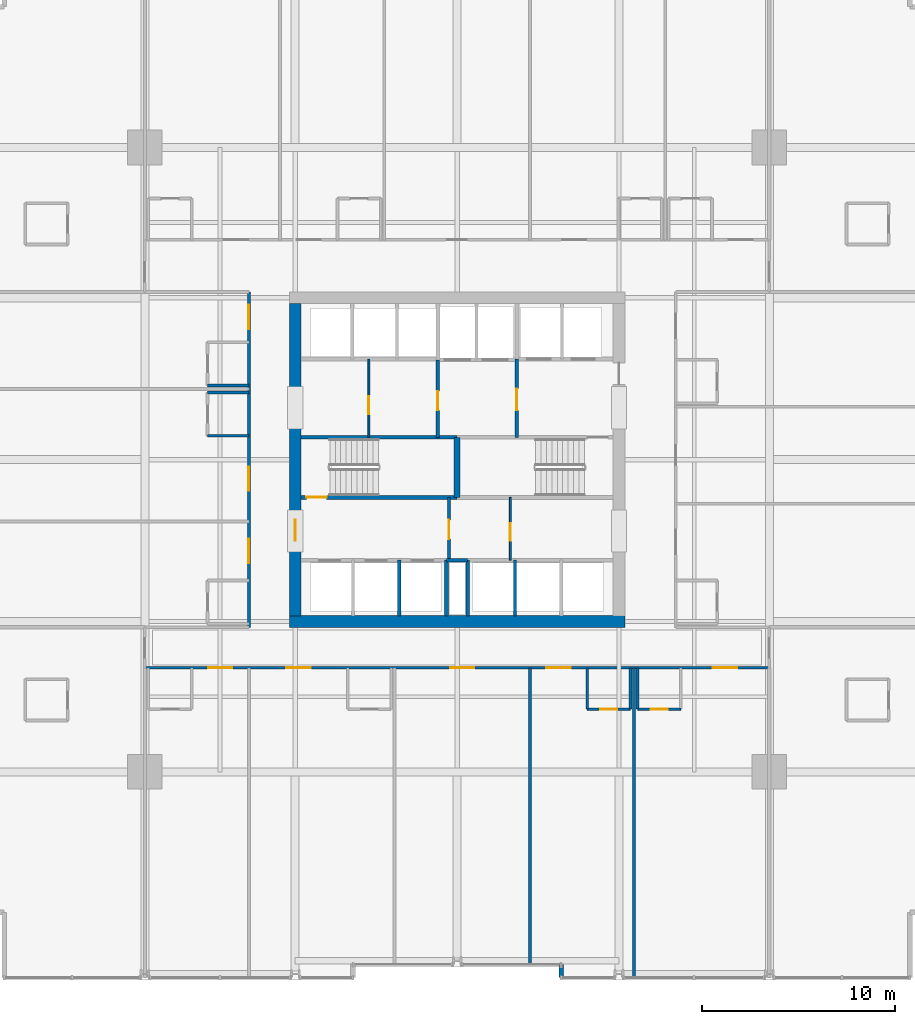
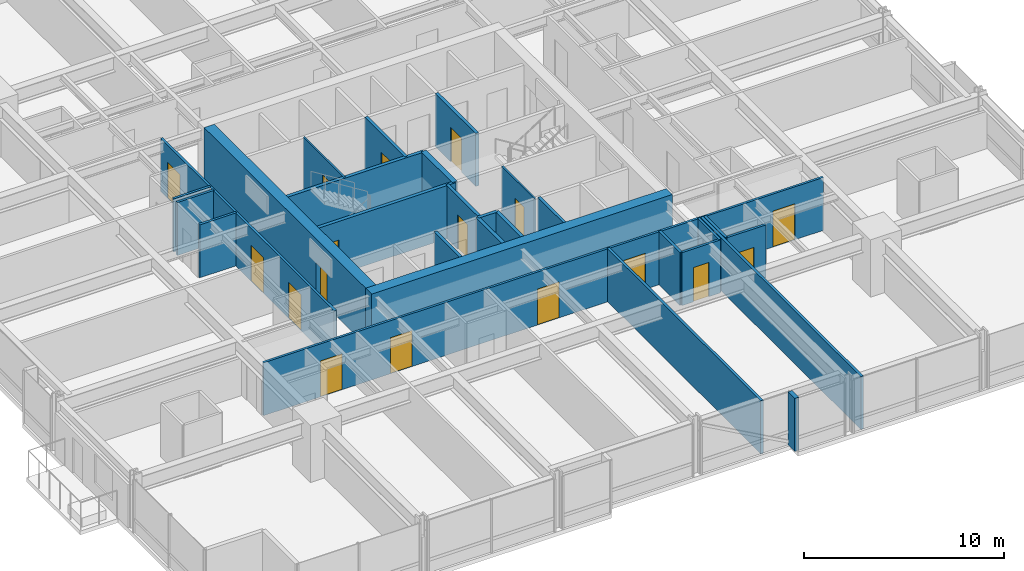
# One storey, part 31 of 38: 28 walls, 17 doors, 17 openings.
"""IFC4 building model written with IfcOpenShell, lengths in metres."""

from ifc_helpers import new_model, si_unit, direction, frame, frame_2d, origin, place, context, subcontext, project, spatial, rectangle, extrude, material, layer, layer_set, type_object, element, fill, save


model = new_model("IFC4")

# Units and contexts
model_context = context("Model", 3, precision=1e-05, world=origin(), true_north=direction((0.0, 1.0)))
body_context = subcontext(model_context, "Body", "Model", "MODEL_VIEW")
ifc_project = project(units=[si_unit("LENGTHUNIT", "METRE"), si_unit("AREAUNIT", "SQUARE_METRE"), si_unit("VOLUMEUNIT", "CUBIC_METRE"), si_unit("PLANEANGLEUNIT", "RADIAN"), si_unit("MASSUNIT", "GRAM", prefix="KILO")], contexts=[model_context])

# Site, building, storey
site_placement = place(None, origin())
site = spatial("IfcSite", under=ifc_project, at=site_placement, CompositionType="ELEMENT")
building_placement = place(site_placement, origin())
building = spatial("IfcBuilding", under=site, at=building_placement, Name="Drelvath Grand Hotel", CompositionType="ELEMENT")
storey_placement = place(building_placement, frame((0.0, 0.0, 57.699951171875)))
storey = spatial("IfcBuildingStorey", under=building, at=storey_placement, Name="L13", CompositionType="ELEMENT", Elevation=57.699951171875)

# Wall, opening, door
ifc_material_1 = material(Name="Gypsum Partition Board")
ifc_layer_1 = layer(ifc_material_1, 0.10009765625)
ifc_layer_set_1 = layer_set([ifc_layer_1], Name="Gypsum Partition Board")
wall_type_1 = type_object("IfcWallType", Name="Core Closet Partition 100", PredefinedType="PARTITIONING", material=ifc_layer_set_1)
wall_1_placement = place(storey_placement, frame((-4.580078125, 28.159912109375, 0.0), z_axis=(0.0, 0.0, 1.0), x_axis=(0.0, 1.0, 0.0)))
wall_1 = element("IfcWall", 1, at=wall_1_placement, inside=storey, type_object=wall_type_1, Name="L13 Core Closet Divider", PredefinedType="PARTITIONING", context=body_context, shape_type="SweptSolid", body=[
    extrude(rectangle(XDim=4.06005859375, YDim=0.10009765625, at=frame_2d((2.030029296875, 0.0))), origin(), (0.0, 0.0, 1.0), 3.239990234375),
])
opening_1_placement = place(wall_1_placement, frame((1.199951171875, 0.0, 0.0)))
opening_1 = element("IfcOpeningElement", 2, at=opening_1_placement, cuts=wall_1, Name="Opening D-T1G3-010", PredefinedType="OPENING", context=body_context, shape_type="SweptSolid", body=[
    extrude(rectangle(XDim=0.919921875, YDim=2.10009765625, at=frame_2d((0.4599609375, 1.050048828125))), frame((0.0, 0.06005859375, 0.0), z_axis=(0.0, -1.0, 0.0), x_axis=(1.0, 0.0, 0.0)), (0.0, 0.0, 1.0), 0.1201171875),
])
ifc_material_2 = material(Name="Painted Steel S275", Category="steel")
door_type_1 = type_object("IfcDoorType", Name="Staff Utility Door 920x2100", OperationType="NOTDEFINED", PredefinedType="DOOR", material=ifc_material_2)
door_1_placement = place(opening_1_placement, origin())
door_1 = element("IfcDoor", 3, at=door_1_placement, inside=storey, type_object=door_type_1, Name="L13 Electrical Closet Door", OperationType="SINGLE_SWING_RIGHT", OverallHeight=2.10009765625, OverallWidth=0.919921875, PredefinedType="DOOR", context=body_context, shape_type="SweptSolid", body=[
    extrude(rectangle(XDim=0.919921875, YDim=2.10009765625, at=frame_2d((0.4599609375, 1.050048828125))), frame((0.0, 0.02490234375, 0.0), z_axis=(0.0, -1.0, 0.0), x_axis=(1.0, 0.0, 0.0)), (0.0, 0.0, 1.0), 0.050048828125),
])
fill(opening_1, door_1)

wall_2_placement = place(storey_placement, frame((2.760009765625, 21.780029296875, 0.0), z_axis=(0.0, 0.0, 1.0), x_axis=(0.0, 1.0, 0.0)))
wall_2 = element("IfcWall", 4, at=wall_2_placement, inside=storey, type_object=wall_type_1, Name="L13 Butler Pantry Wall", PredefinedType="PARTITIONING", context=body_context, shape_type="SweptSolid", body=[
    extrude(rectangle(XDim=3.260009765625, YDim=0.10009765625, at=frame_2d((1.6298828125, 0.0))), origin(), (0.0, 0.0, 1.0), 3.239990234375),
])
opening_2_placement = place(wall_2_placement, frame((1.0, 0.0, 0.0)))
opening_2 = element("IfcOpeningElement", 5, at=opening_2_placement, cuts=wall_2, Name="Opening D-T1G3-016", PredefinedType="OPENING", context=body_context, shape_type="SweptSolid", body=[
    extrude(rectangle(XDim=0.919921875, YDim=2.10009765625, at=frame_2d((0.4599609375, 1.050048828125))), frame((0.0, 0.06005859375, 0.0), z_axis=(0.0, -1.0, 0.0), x_axis=(1.0, 0.0, 0.0)), (0.0, 0.0, 1.0), 0.1201171875),
])
door_2_placement = place(opening_2_placement, origin())
door_2 = element("IfcDoor", 6, at=door_2_placement, inside=storey, type_object=door_type_1, Name="L13 Butler Pantry Door", OperationType="SINGLE_SWING_LEFT", OverallHeight=2.10009765625, OverallWidth=0.919921875, PredefinedType="DOOR", context=body_context, shape_type="SweptSolid", body=[
    extrude(rectangle(XDim=0.919921875, YDim=2.10009765625, at=frame_2d((0.4599609375, 1.050048828125))), frame((0.0, 0.02490234375, 0.0), z_axis=(0.0, -1.0, 0.0), x_axis=(1.0, 0.0, 0.0)), (0.0, 0.0, 1.0), 0.050048828125),
])
fill(opening_2, door_2)

# Walls
ifc_material_3 = material(Name="Concrete C40/50", Category="concrete")
ifc_layer_2 = layer(ifc_material_3, 0.199951171875)
ifc_layer_set_2 = layer_set([ifc_layer_2], Name="Concrete C40/50")
wall_type_2 = type_object("IfcWallType", Name="Core Hoistway Fire Wall 200", PredefinedType="SOLIDWALL", material=ifc_layer_set_2)
for number, where, z_axis, x_axis, name in (
    (7, (-0.550048828125, 18.89990234375, 0.0), (0.0, 0.0, 1.0), (0.0, 1.0, 0.0), "L13 Bank 1 East Wall"),
    (8, (0.550048828125, 18.89990234375, 0.0), (0.0, 0.0, 1.0), (0.0, 1.0, 0.0), "L13 Bank 2 West Wall"),
):
    element("IfcWall", number, at=place(storey_placement, frame(where, z_axis=z_axis, x_axis=x_axis)), inside=storey, type_object=wall_type_2, Name=name, PredefinedType="SOLIDWALL", context=body_context, shape_type="SweptSolid", body=[
        extrude(rectangle(XDim=2.880126953125, YDim=0.199951171875, at=frame_2d((1.43994140625, 0.0))), origin(), (0.0, 0.0, 1.0), 3.239990234375),
    ])
wall_3_placement = place(storey_placement, frame((-0.550048828125, 21.780029296875, 0.0), z_axis=(0.0, 0.0, 1.0), x_axis=(1.0, 0.0, 0.0)))
element("IfcWall", 9, at=wall_3_placement, inside=storey, type_object=wall_type_2, Name="L13 Core Riser Wall", PredefinedType="SOLIDWALL", context=body_context, shape_type="SweptSolid", body=[
    extrude(rectangle(XDim=1.10009765625, YDim=0.199951171875, at=frame_2d((0.550048828125, 0.0))), origin(), (0.0, 0.0, 1.0), 3.239990234375),
])

# Wall, opening, door
ifc_layer_3 = layer(ifc_material_3, 0.199951171875)
ifc_layer_set_3 = layer_set([ifc_layer_3], Name="Concrete C40/50")
wall_type_3 = type_object("IfcWallType", Name="Core Shaft Fire Wall 200", PredefinedType="SOLIDWALL", material=ifc_layer_set_3)
wall_4_placement = place(storey_placement, frame((-8.10009765625, 25.0400390625, 0.0), z_axis=(0.0, 0.0, 1.0), x_axis=(1.0, 0.0, 0.0)))
wall_4 = element("IfcWall", 10, at=wall_4_placement, inside=storey, type_object=wall_type_3, Name="L13 Stair ST-1 South Wall", PredefinedType="SOLIDWALL", context=body_context, shape_type="SweptSolid", body=[
    extrude(rectangle(XDim=8.10009765625, YDim=0.199951171875, at=frame_2d((4.050048828125, 0.0))), origin(), (0.0, 0.0, 1.0), 3.239990234375),
])
opening_3_placement = place(wall_4_placement, frame((0.280029296875, 0.0, 0.0)))
opening_3 = element("IfcOpeningElement", 11, at=opening_3_placement, cuts=wall_4, Name="Opening D-T1G3-001", PredefinedType="OPENING", context=body_context, shape_type="SweptSolid", body=[
    extrude(rectangle(XDim=1.050048828125, YDim=2.10009765625, at=frame_2d((0.52490234375, 1.050048828125))), frame((0.0, 0.10986328125, 0.0), z_axis=(0.0, -1.0, 0.0), x_axis=(1.0, 0.0, 0.0)), (0.0, 0.0, 1.0), 0.219970703125),
])
door_type_2 = type_object("IfcDoorType", Name="Tower Stairwell Fire Door 1050x2100", OperationType="NOTDEFINED", PredefinedType="DOOR", material=ifc_material_2)
door_3_placement = place(opening_3_placement, origin())
door_3 = element("IfcDoor", 12, at=door_3_placement, inside=storey, type_object=door_type_2, Name="L13 Exit Stair ST-1 Door", OperationType="SINGLE_SWING_LEFT", OverallHeight=2.10009765625, OverallWidth=1.050048828125, PredefinedType="DOOR", context=body_context, shape_type="SweptSolid", body=[
    extrude(rectangle(XDim=1.050048828125, YDim=2.10009765625, at=frame_2d((0.52490234375, 1.050048828125))), frame((0.0, 0.02490234375, 0.0), z_axis=(0.0, -1.0, 0.0), x_axis=(1.0, 0.0, 0.0)), (0.0, 0.0, 1.0), 0.050048828125),
])
fill(opening_3, door_3)

# Walls
wall_5_placement = place(storey_placement, frame((-8.10009765625, 28.159912109375, 0.0), z_axis=(0.0, 0.0, 1.0), x_axis=(1.0, 0.0, 0.0)))
element("IfcWall", 13, at=wall_5_placement, inside=storey, type_object=wall_type_3, Name="L13 Stair ST-1 North Wall", PredefinedType="SOLIDWALL", context=body_context, shape_type="SweptSolid", body=[
    extrude(rectangle(XDim=8.10009765625, YDim=0.199951171875, at=frame_2d((4.050048828125, 0.0))), origin(), (0.0, 0.0, 1.0), 3.239990234375),
])
ifc_layer_4 = layer(ifc_material_3, 0.300048828125)
ifc_layer_set_4 = layer_set([ifc_layer_4], Name="Concrete C40/50")
wall_type_4 = type_object("IfcWallType", Name="Core Shaft Fire Wall 300", PredefinedType="SOLIDWALL", material=ifc_layer_set_4)
wall_6_placement = place(storey_placement, frame((0.0, 25.0400390625, 0.0), z_axis=(0.0, 0.0, 1.0), x_axis=(0.0, 1.0, 0.0)))
element("IfcWall", 14, at=wall_6_placement, inside=storey, type_object=wall_type_4, Name="L13 Core Stair Divider Wall", PredefinedType="SOLIDWALL", context=body_context, shape_type="SweptSolid", body=[
    extrude(rectangle(XDim=3.119873046875, YDim=0.300048828125, at=frame_2d((1.56005859375, 0.0))), origin(), (0.0, 0.0, 1.0), 3.239990234375),
])
ifc_material_4 = material(Name="Gypsum Fireboard Partition")
ifc_layer_5 = layer(ifc_material_4, 0.1650390625)
ifc_layer_set_5 = layer_set([ifc_layer_5], Name="Gypsum Fireboard Partition")
wall_type_5 = type_object("IfcWallType", Name="Core Shaft Partition 165", PredefinedType="PARTITIONING", material=ifc_layer_set_5)
for number, where, z_axis, x_axis, name in (
    (15, (-3.0, 18.89990234375, 0.0), (0.0, 0.0, 1.0), (0.0, 1.0, 0.0), "L13 Lift PE-2/3 Divider"),
    (16, (3.0, 18.89990234375, 0.0), (0.0, 0.0, 1.0), (0.0, 1.0, 0.0), "L13 Lift PE-4/5 Divider"),
):
    element("IfcWall", number, at=place(storey_placement, frame(where, z_axis=z_axis, x_axis=x_axis)), inside=storey, type_object=wall_type_5, Name=name, PredefinedType="PARTITIONING", context=body_context, shape_type="SweptSolid", body=[
        extrude(rectangle(XDim=2.880126953125, YDim=0.1650390625, at=frame_2d((1.43994140625, 0.0))), origin(), (0.0, 0.0, 1.0), 3.239990234375),
    ])

# Wall, openings, doors
ifc_layer_6 = layer(ifc_material_4, 0.135009765625)
ifc_layer_set_6 = layer_set([ifc_layer_6], Name="Gypsum Fireboard Partition")
wall_type_6 = type_object("IfcWallType", Name="Corridor Fire Barrier Wall 135", PredefinedType="PARTITIONING", material=ifc_layer_set_6)
wall_7_placement = place(storey_placement, frame((-16.199951171875, 16.199951171875, 0.0), z_axis=(0.0, 0.0, 1.0), x_axis=(1.0, 0.0, 0.0)))
wall_7 = element("IfcWall", 17, at=wall_7_placement, inside=storey, type_object=wall_type_6, Name="L13 South Corridor Wall", PredefinedType="PARTITIONING", context=body_context, shape_type="SweptSolid", body=[
    extrude(rectangle(XDim=32.39990234375, YDim=0.135009765625, at=frame_2d((16.199951171875, 0.0))), origin(), (0.0, 0.0, 1.0), 3.239990234375),
])
opening_4_placement = place(wall_7_placement, frame((3.284912109375, 0.0, 0.0)))
opening_4 = element("IfcOpeningElement", 18, at=opening_4_placement, cuts=wall_7, Name="Opening D-T1G3-026", PredefinedType="OPENING", context=body_context, shape_type="SweptSolid", body=[
    extrude(rectangle(XDim=1.260009765625, YDim=2.199951171875, at=frame_2d((0.6298828125, 1.10009765625))), frame((0.0, 0.077392578125, 0.0), z_axis=(0.0, -1.0, 0.0), x_axis=(1.0, 0.0, 0.0)), (0.0, 0.0, 1.0), 0.155029296875),
])
opening_5_placement = place(wall_7_placement, frame((7.3349609375, 0.0, 0.0)))
opening_5 = element("IfcOpeningElement", 19, at=opening_5_placement, cuts=wall_7, Name="Opening D-T1G3-028", PredefinedType="OPENING", context=body_context, shape_type="SweptSolid", body=[
    extrude(rectangle(XDim=1.260009765625, YDim=2.199951171875, at=frame_2d((0.6298828125, 1.10009765625))), frame((0.0, 0.077392578125, 0.0), z_axis=(0.0, -1.0, 0.0), x_axis=(1.0, 0.0, 0.0)), (0.0, 0.0, 1.0), 0.155029296875),
])
opening_6_placement = place(wall_7_placement, frame((15.840087890625, 0.0, 0.0)))
opening_6 = element("IfcOpeningElement", 20, at=opening_6_placement, cuts=wall_7, Name="Opening D-T1G3-029", PredefinedType="OPENING", context=body_context, shape_type="SweptSolid", body=[
    extrude(rectangle(XDim=1.260009765625, YDim=2.199951171875, at=frame_2d((0.6298828125, 1.10009765625))), frame((0.0, 0.077392578125, 0.0), z_axis=(0.0, -1.0, 0.0), x_axis=(1.0, 0.0, 0.0)), (0.0, 0.0, 1.0), 0.155029296875),
])
opening_7_placement = place(wall_7_placement, frame((20.8349609375, 0.0, 0.0)))
opening_7 = element("IfcOpeningElement", 21, at=opening_7_placement, cuts=wall_7, Name="Opening D-T1G3-031", PredefinedType="OPENING", context=body_context, shape_type="SweptSolid", body=[
    extrude(rectangle(XDim=1.260009765625, YDim=2.199951171875, at=frame_2d((0.6298828125, 1.10009765625))), frame((0.0, 0.077392578125, 0.0), z_axis=(0.0, -1.0, 0.0), x_axis=(1.0, 0.0, 0.0)), (0.0, 0.0, 1.0), 0.155029296875),
])
opening_8_placement = place(wall_7_placement, frame((29.47509765625, 0.0, 0.0)))
opening_8 = element("IfcOpeningElement", 22, at=opening_8_placement, cuts=wall_7, Name="Opening D-T1G3-033", PredefinedType="OPENING", context=body_context, shape_type="SweptSolid", body=[
    extrude(rectangle(XDim=1.260009765625, YDim=2.199951171875, at=frame_2d((0.6298828125, 1.10009765625))), frame((0.0, 0.077392578125, 0.0), z_axis=(0.0, -1.0, 0.0), x_axis=(1.0, 0.0, 0.0)), (0.0, 0.0, 1.0), 0.155029296875),
])
ifc_material_5 = material(Name="Hardwood Walnut Timber", Category="wood")
door_type_3 = type_object("IfcDoorType", Name="Suite Entrance Fire Door 1260x2200", OperationType="NOTDEFINED", PredefinedType="DOOR", material=ifc_material_5)
door_4_placement = place(opening_4_placement, origin())
door_4 = element("IfcDoor", 23, at=door_4_placement, inside=storey, type_object=door_type_3, Name="L13 Corner Suite Entry Door", OperationType="SINGLE_SWING_LEFT", OverallHeight=2.199951171875, OverallWidth=1.260009765625, PredefinedType="DOOR", context=body_context, shape_type="SweptSolid", body=[
    extrude(rectangle(XDim=1.260009765625, YDim=2.199951171875, at=frame_2d((0.6298828125, 1.10009765625))), frame((0.0, 0.02490234375, 0.0), z_axis=(0.0, -1.0, 0.0), x_axis=(1.0, 0.0, 0.0)), (0.0, 0.0, 1.0), 0.050048828125),
])
fill(opening_4, door_4)
door_5_placement = place(opening_5_placement, origin())
door_5 = element("IfcDoor", 24, at=door_5_placement, inside=storey, type_object=door_type_3, Name="L13 Corner Suite Entry Door", OperationType="SINGLE_SWING_LEFT", OverallHeight=2.199951171875, OverallWidth=1.260009765625, PredefinedType="DOOR", context=body_context, shape_type="SweptSolid", body=[
    extrude(rectangle(XDim=1.260009765625, YDim=2.199951171875, at=frame_2d((0.6298828125, 1.10009765625))), frame((0.0, 0.02490234375, 0.0), z_axis=(0.0, -1.0, 0.0), x_axis=(1.0, 0.0, 0.0)), (0.0, 0.0, 1.0), 0.050048828125),
])
fill(opening_5, door_5)
door_6_placement = place(opening_6_placement, origin())
door_6 = element("IfcDoor", 25, at=door_6_placement, inside=storey, type_object=door_type_3, Name="L13 Boardroom Suite Entry Door", OperationType="SINGLE_SWING_RIGHT", OverallHeight=2.199951171875, OverallWidth=1.260009765625, PredefinedType="DOOR", context=body_context, shape_type="SweptSolid", body=[
    extrude(rectangle(XDim=1.260009765625, YDim=2.199951171875, at=frame_2d((0.6298828125, 1.10009765625))), frame((0.0, 0.02490234375, 0.0), z_axis=(0.0, -1.0, 0.0), x_axis=(1.0, 0.0, 0.0)), (0.0, 0.0, 1.0), 0.050048828125),
])
fill(opening_6, door_6)
door_7_placement = place(opening_7_placement, origin())
door_7 = element("IfcDoor", 26, at=door_7_placement, inside=storey, type_object=door_type_3, Name="L13 Corner Suite Entry Door", OperationType="SINGLE_SWING_RIGHT", OverallHeight=2.199951171875, OverallWidth=1.260009765625, PredefinedType="DOOR", context=body_context, shape_type="SweptSolid", body=[
    extrude(rectangle(XDim=1.260009765625, YDim=2.199951171875, at=frame_2d((0.6298828125, 1.10009765625))), frame((0.0, 0.02490234375, 0.0), z_axis=(0.0, -1.0, 0.0), x_axis=(1.0, 0.0, 0.0)), (0.0, 0.0, 1.0), 0.050048828125),
])
fill(opening_7, door_7)
door_8_placement = place(opening_8_placement, origin())
door_8 = element("IfcDoor", 27, at=door_8_placement, inside=storey, type_object=door_type_3, Name="L13 Corner Suite Entry Door", OperationType="SINGLE_SWING_RIGHT", OverallHeight=2.199951171875, OverallWidth=1.260009765625, PredefinedType="DOOR", context=body_context, shape_type="SweptSolid", body=[
    extrude(rectangle(XDim=1.260009765625, YDim=2.199951171875, at=frame_2d((0.6298828125, 1.10009765625))), frame((0.0, 0.02490234375, 0.0), z_axis=(0.0, -1.0, 0.0), x_axis=(1.0, 0.0, 0.0)), (0.0, 0.0, 1.0), 0.050048828125),
])
fill(opening_8, door_8)

wall_8_placement = place(storey_placement, frame((-10.800048828125, 18.300048828125, 0.0), z_axis=(0.0, 0.0, 1.0), x_axis=(0.0, 1.0, 0.0)))
wall_8 = element("IfcWall", 28, at=wall_8_placement, inside=storey, type_object=wall_type_6, Name="L13 West Corridor Wall", PredefinedType="PARTITIONING", context=body_context, shape_type="SweptSolid", body=[
    extrude(rectangle(XDim=17.39990234375, YDim=0.135009765625, at=frame_2d((8.699951171875, 0.0))), origin(), (0.0, 0.0, 1.0), 3.239990234375),
])
opening_9_placement = place(wall_8_placement, frame((3.332275390625, 0.0, 0.0)))
opening_9 = element("IfcOpeningElement", 29, at=opening_9_placement, cuts=wall_8, Name="Opening D-T1G3-044", PredefinedType="OPENING", context=body_context, shape_type="SweptSolid", body=[
    extrude(rectangle(XDim=1.260009765625, YDim=2.199951171875, at=frame_2d((0.6298828125, 1.10009765625))), frame((0.0, 0.077392578125, 0.0), z_axis=(0.0, -1.0, 0.0), x_axis=(1.0, 0.0, 0.0)), (0.0, 0.0, 1.0), 0.155029296875),
])
opening_10_placement = place(wall_8_placement, frame((7.083984375, 0.0, 0.0)))
opening_10 = element("IfcOpeningElement", 30, at=opening_10_placement, cuts=wall_8, Name="Opening D-T1G3-046", PredefinedType="OPENING", context=body_context, shape_type="SweptSolid", body=[
    extrude(rectangle(XDim=1.260009765625, YDim=2.199951171875, at=frame_2d((0.6298828125, 1.10009765625))), frame((0.0, 0.077392578125, 0.0), z_axis=(0.0, -1.0, 0.0), x_axis=(1.0, 0.0, 0.0)), (0.0, 0.0, 1.0), 0.155029296875),
])
opening_11_placement = place(wall_8_placement, frame((15.466552734375, 0.0, 0.0)))
opening_11 = element("IfcOpeningElement", 31, at=opening_11_placement, cuts=wall_8, Name="Opening D-T1G3-048", PredefinedType="OPENING", context=body_context, shape_type="SweptSolid", body=[
    extrude(rectangle(XDim=1.260009765625, YDim=2.199951171875, at=frame_2d((0.6298828125, 1.10009765625))), frame((0.0, 0.077392578125, 0.0), z_axis=(0.0, -1.0, 0.0), x_axis=(1.0, 0.0, 0.0)), (0.0, 0.0, 1.0), 0.155029296875),
])
door_9_placement = place(opening_9_placement, origin())
door_9 = element("IfcDoor", 32, at=door_9_placement, inside=storey, type_object=door_type_3, Name="L13 Corner Suite Entry Door", OperationType="SINGLE_SWING_LEFT", OverallHeight=2.199951171875, OverallWidth=1.260009765625, PredefinedType="DOOR", context=body_context, shape_type="SweptSolid", body=[
    extrude(rectangle(XDim=1.260009765625, YDim=2.199951171875, at=frame_2d((0.6298828125, 1.10009765625))), frame((0.0, 0.02490234375, 0.0), z_axis=(0.0, -1.0, 0.0), x_axis=(1.0, 0.0, 0.0)), (0.0, 0.0, 1.0), 0.050048828125),
])
fill(opening_9, door_9)
door_10_placement = place(opening_10_placement, origin())
door_10 = element("IfcDoor", 33, at=door_10_placement, inside=storey, type_object=door_type_3, Name="L13 Corner Suite Entry Door", OperationType="SINGLE_SWING_LEFT", OverallHeight=2.199951171875, OverallWidth=1.260009765625, PredefinedType="DOOR", context=body_context, shape_type="SweptSolid", body=[
    extrude(rectangle(XDim=1.260009765625, YDim=2.199951171875, at=frame_2d((0.6298828125, 1.10009765625))), frame((0.0, 0.02490234375, 0.0), z_axis=(0.0, -1.0, 0.0), x_axis=(1.0, 0.0, 0.0)), (0.0, 0.0, 1.0), 0.050048828125),
])
fill(opening_10, door_10)
door_11_placement = place(opening_11_placement, origin())
door_11 = element("IfcDoor", 34, at=door_11_placement, inside=storey, type_object=door_type_3, Name="L13 Corner Suite Entry Door", OperationType="SINGLE_SWING_LEFT", OverallHeight=2.199951171875, OverallWidth=1.260009765625, PredefinedType="DOOR", context=body_context, shape_type="SweptSolid", body=[
    extrude(rectangle(XDim=1.260009765625, YDim=2.199951171875, at=frame_2d((0.6298828125, 1.10009765625))), frame((0.0, 0.02490234375, 0.0), z_axis=(0.0, -1.0, 0.0), x_axis=(1.0, 0.0, 0.0)), (0.0, 0.0, 1.0), 0.050048828125),
])
fill(opening_11, door_11)

# Walls
ifc_material_6 = material(Name="Moisture-Resistant Gypsum Board")
ifc_layer_7 = layer(ifc_material_6, 0.139892578125)
ifc_layer_set_7 = layer_set([ifc_layer_7], Name="Moisture-Resistant Gypsum Board")
wall_type_7 = type_object("IfcWallType", Name="En-Suite Plumbing Wall 140", PredefinedType="PLUMBINGWALL", material=ifc_layer_set_7)
for number, where, z_axis, x_axis, name in (
    (35, (6.75, 16.199951171875, 0.0), (0.0, 0.0, 1.0), (0.0, -1.0, 0.0), "L13 En-Suite Left Wall"),
    (36, (9.0, 16.199951171875, 0.0), (0.0, 0.0, 1.0), (0.0, -1.0, 0.0), "L13 En-Suite Right Wall"),
):
    element("IfcWall", number, at=place(storey_placement, frame(where, z_axis=z_axis, x_axis=x_axis)), inside=storey, type_object=wall_type_7, Name=name, PredefinedType="PLUMBINGWALL", context=body_context, shape_type="SweptSolid", body=[
        extrude(rectangle(XDim=2.14990234375, YDim=0.139892578125, at=frame_2d((1.074951171875, 0.0))), origin(), (0.0, 0.0, 1.0), 3.239990234375),
    ])

# Wall, opening, door
wall_9_placement = place(storey_placement, frame((6.75, 14.050048828125, 0.0), z_axis=(0.0, 0.0, 1.0), x_axis=(1.0, 0.0, 0.0)))
wall_9 = element("IfcWall", 37, at=wall_9_placement, inside=storey, type_object=wall_type_7, Name="L13 En-Suite Front Wall", PredefinedType="PLUMBINGWALL", context=body_context, shape_type="SweptSolid", body=[
    extrude(rectangle(XDim=2.25, YDim=0.139892578125, at=frame_2d((1.125, 0.0))), origin(), (0.0, 0.0, 1.0), 3.239990234375),
])
opening_12_placement = place(wall_9_placement, frame((0.68505859375, 0.0, 0.0)))
opening_12 = element("IfcOpeningElement", 38, at=opening_12_placement, cuts=wall_9, Name="Opening D-T1G3-030", PredefinedType="OPENING", context=body_context, shape_type="SweptSolid", body=[
    extrude(rectangle(XDim=0.8798828125, YDim=2.10009765625, at=frame_2d((0.43994140625, 1.050048828125))), frame((0.0, 0.079833984375, 0.0), z_axis=(0.0, -1.0, 0.0), x_axis=(1.0, 0.0, 0.0)), (0.0, 0.0, 1.0), 0.159912109375),
])
door_type_4 = type_object("IfcDoorType", Name="En-Suite Bathroom Door 880x2100", OperationType="NOTDEFINED", PredefinedType="DOOR", material=ifc_material_5)
door_12_placement = place(opening_12_placement, origin())
door_12 = element("IfcDoor", 39, at=door_12_placement, inside=storey, type_object=door_type_4, Name="L13 En-Suite Bathroom Door", OperationType="SINGLE_SWING_LEFT", OverallHeight=2.10009765625, OverallWidth=0.8798828125, PredefinedType="DOOR", context=body_context, shape_type="SweptSolid", body=[
    extrude(rectangle(XDim=0.8798828125, YDim=2.10009765625, at=frame_2d((0.43994140625, 1.050048828125))), frame((0.0, 0.02490234375, 0.0), z_axis=(0.0, -1.0, 0.0), x_axis=(1.0, 0.0, 0.0)), (0.0, 0.0, 1.0), 0.050048828125),
])
fill(opening_12, door_12)

# Wall
wall_10_placement = place(storey_placement, frame((9.360107421875, 16.199951171875, 0.0), z_axis=(0.0, 0.0, 1.0), x_axis=(0.0, -1.0, 0.0)))
element("IfcWall", 40, at=wall_10_placement, inside=storey, type_object=wall_type_7, Name="L13 En-Suite Left Wall", PredefinedType="PLUMBINGWALL", context=body_context, shape_type="SweptSolid", body=[
    extrude(rectangle(XDim=2.14990234375, YDim=0.139892578125, at=frame_2d((1.074951171875, 0.0))), origin(), (0.0, 0.0, 1.0), 3.239990234375),
])

# Wall, opening, door
wall_11_placement = place(storey_placement, frame((9.360107421875, 14.050048828125, 0.0), z_axis=(0.0, 0.0, 1.0), x_axis=(1.0, 0.0, 0.0)))
wall_11 = element("IfcWall", 41, at=wall_11_placement, inside=storey, type_object=wall_type_7, Name="L13 En-Suite Front Wall", PredefinedType="PLUMBINGWALL", context=body_context, shape_type="SweptSolid", body=[
    extrude(rectangle(XDim=2.25, YDim=0.139892578125, at=frame_2d((1.125, 0.0))), origin(), (0.0, 0.0, 1.0), 3.239990234375),
])
opening_13_placement = place(wall_11_placement, frame((0.68505859375, 0.0, 0.0)))
opening_13 = element("IfcOpeningElement", 42, at=opening_13_placement, cuts=wall_11, Name="Opening D-T1G3-032", PredefinedType="OPENING", context=body_context, shape_type="SweptSolid", body=[
    extrude(rectangle(XDim=0.8798828125, YDim=2.10009765625, at=frame_2d((0.43994140625, 1.050048828125))), frame((0.0, 0.079833984375, 0.0), z_axis=(0.0, -1.0, 0.0), x_axis=(1.0, 0.0, 0.0)), (0.0, 0.0, 1.0), 0.159912109375),
])
door_13_placement = place(opening_13_placement, origin())
door_13 = element("IfcDoor", 43, at=door_13_placement, inside=storey, type_object=door_type_4, Name="L13 En-Suite Bathroom Door", OperationType="SINGLE_SWING_LEFT", OverallHeight=2.10009765625, OverallWidth=0.8798828125, PredefinedType="DOOR", context=body_context, shape_type="SweptSolid", body=[
    extrude(rectangle(XDim=0.8798828125, YDim=2.10009765625, at=frame_2d((0.43994140625, 1.050048828125))), frame((0.0, 0.02490234375, 0.0), z_axis=(0.0, -1.0, 0.0), x_axis=(1.0, 0.0, 0.0)), (0.0, 0.0, 1.0), 0.050048828125),
])
fill(opening_13, door_13)

# Walls
for number, where, z_axis, x_axis, name in (
    (44, (-10.800048828125, 28.233154296875, 0.0), (0.0, 0.0, 1.0), (-1.0, 0.0, 0.0), "L13 En-Suite Left Wall"),
    (45, (-10.800048828125, 30.483154296875, 0.0), (0.0, 0.0, 1.0), (-1.0, 0.0, 0.0), "L13 En-Suite Right Wall"),
    (46, (-10.800048828125, 30.84326171875, 0.0), (0.0, 0.0, 1.0), (-1.0, 0.0, 0.0), "L13 En-Suite Left Wall"),
):
    element("IfcWall", number, at=place(storey_placement, frame(where, z_axis=z_axis, x_axis=x_axis)), inside=storey, type_object=wall_type_7, Name=name, PredefinedType="PLUMBINGWALL", context=body_context, shape_type="SweptSolid", body=[
        extrude(rectangle(XDim=2.14990234375, YDim=0.139892578125, at=frame_2d((1.074951171875, 0.0))), origin(), (0.0, 0.0, 1.0), 3.239990234375),
    ])

# Wall, opening, door
ifc_layer_8 = layer(ifc_material_4, 0.179931640625)
ifc_layer_set_8 = layer_set([ifc_layer_8], Name="Gypsum Fireboard Partition")
wall_type_8 = type_object("IfcWallType", Name="FSAE Smoke Lobby Fire Wall 180", PredefinedType="SOLIDWALL", material=ifc_layer_set_8)
wall_12_placement = place(storey_placement, frame((3.10009765625, 28.159912109375, 0.0), z_axis=(0.0, 0.0, 1.0), x_axis=(0.0, 1.0, 0.0)))
wall_12 = element("IfcWall", 47, at=wall_12_placement, inside=storey, type_object=wall_type_8, Name="L13 FSAE Smoke Lobby West Wall", PredefinedType="SOLIDWALL", context=body_context, shape_type="SweptSolid", body=[
    extrude(rectangle(XDim=4.06005859375, YDim=0.179931640625, at=frame_2d((2.030029296875, 0.0))), origin(), (0.0, 0.0, 1.0), 3.239990234375),
])
opening_14_placement = place(wall_12_placement, frame((1.39990234375, 0.0, 0.0)))
opening_14 = element("IfcOpeningElement", 48, at=opening_14_placement, cuts=wall_12, Name="Opening D-T1G3-005", PredefinedType="OPENING", context=body_context, shape_type="SweptSolid", body=[
    extrude(rectangle(XDim=1.1201171875, YDim=2.10009765625, at=frame_2d((0.56005859375, 1.050048828125))), frame((0.0, 0.099853515625, 0.0), z_axis=(0.0, -1.0, 0.0), x_axis=(1.0, 0.0, 0.0)), (0.0, 0.0, 1.0), 0.199951171875),
])
door_type_5 = type_object("IfcDoorType", Name="FSAE Smoke Lobby Fire Door 1120x2100", OperationType="NOTDEFINED", PredefinedType="DOOR", material=ifc_material_2)
door_14_placement = place(opening_14_placement, origin())
door_14 = element("IfcDoor", 49, at=door_14_placement, inside=storey, type_object=door_type_5, Name="L13 FSAE Lobby Service Vestibule Door", OperationType="SINGLE_SWING_RIGHT", OverallHeight=2.10009765625, OverallWidth=1.1201171875, PredefinedType="DOOR", context=body_context, shape_type="SweptSolid", body=[
    extrude(rectangle(XDim=1.1201171875, YDim=2.10009765625, at=frame_2d((0.56005859375, 1.050048828125))), frame((0.0, 0.02490234375, 0.0), z_axis=(0.0, -1.0, 0.0), x_axis=(1.0, 0.0, 0.0)), (0.0, 0.0, 1.0), 0.050048828125),
])
fill(opening_14, door_14)

wall_13_placement = place(storey_placement, frame((-1.0, 28.159912109375, 0.0), z_axis=(0.0, 0.0, 1.0), x_axis=(0.0, 1.0, 0.0)))
wall_13 = element("IfcWall", 50, at=wall_13_placement, inside=storey, type_object=wall_type_8, Name="L13 Service Vestibule West Wall", PredefinedType="SOLIDWALL", context=body_context, shape_type="SweptSolid", body=[
    extrude(rectangle(XDim=4.02001953125, YDim=0.179931640625, at=frame_2d((2.010009765625, 0.0))), origin(), (0.0, 0.0, 1.0), 3.239990234375),
])
opening_15_placement = place(wall_13_placement, frame((1.39990234375, 0.0, 0.0)))
opening_15 = element("IfcOpeningElement", 51, at=opening_15_placement, cuts=wall_13, Name="Opening D-T1G3-009", PredefinedType="OPENING", context=body_context, shape_type="SweptSolid", body=[
    extrude(rectangle(XDim=1.0, YDim=2.10009765625, at=frame_2d((0.5, 1.050048828125))), frame((0.0, 0.099853515625, 0.0), z_axis=(0.0, -1.0, 0.0), x_axis=(1.0, 0.0, 0.0)), (0.0, 0.0, 1.0), 0.199951171875),
])
door_type_6 = type_object("IfcDoorType", Name="Core Service Fire Door 1000x2100", OperationType="NOTDEFINED", PredefinedType="DOOR", material=ifc_material_2)
door_15_placement = place(opening_15_placement, origin())
door_15 = element("IfcDoor", 52, at=door_15_placement, inside=storey, type_object=door_type_6, Name="L13 Service Vestibule West Door", OperationType="SINGLE_SWING_LEFT", OverallHeight=2.10009765625, OverallWidth=1.0, PredefinedType="DOOR", context=body_context, shape_type="SweptSolid", body=[
    extrude(rectangle(XDim=1.0, YDim=2.10009765625, at=frame_2d((0.5, 1.050048828125))), frame((0.0, 0.02490234375, 0.0), z_axis=(0.0, -1.0, 0.0), x_axis=(1.0, 0.0, 0.0)), (0.0, 0.0, 1.0), 0.050048828125),
])
fill(opening_15, door_15)

wall_14_placement = place(storey_placement, frame((-0.419921875, 21.780029296875, 0.0), z_axis=(0.0, 0.0, 1.0), x_axis=(0.0, 1.0, 0.0)))
wall_14 = element("IfcWall", 53, at=wall_14_placement, inside=storey, type_object=wall_type_8, Name="L13 Low-Rise Lobby East Wall", PredefinedType="SOLIDWALL", context=body_context, shape_type="SweptSolid", body=[
    extrude(rectangle(XDim=3.260009765625, YDim=0.179931640625, at=frame_2d((1.6298828125, 0.0))), origin(), (0.0, 0.0, 1.0), 3.239990234375),
])
opening_16_placement = place(wall_14_placement, frame((1.10009765625, 0.0, 0.0)))
opening_16 = element("IfcOpeningElement", 54, at=opening_16_placement, cuts=wall_14, Name="Opening D-T1G3-014", PredefinedType="OPENING", context=body_context, shape_type="SweptSolid", body=[
    extrude(rectangle(XDim=1.0, YDim=2.10009765625, at=frame_2d((0.5, 1.050048828125))), frame((0.0, 0.099853515625, 0.0), z_axis=(0.0, -1.0, 0.0), x_axis=(1.0, 0.0, 0.0)), (0.0, 0.0, 1.0), 0.199951171875),
])
door_16_placement = place(opening_16_placement, origin())
door_16 = element("IfcDoor", 55, at=door_16_placement, inside=storey, type_object=door_type_6, Name="L13 Housekeeping Entry Door", OperationType="SINGLE_SWING_LEFT", OverallHeight=2.10009765625, OverallWidth=1.0, PredefinedType="DOOR", context=body_context, shape_type="SweptSolid", body=[
    extrude(rectangle(XDim=1.0, YDim=2.10009765625, at=frame_2d((0.5, 1.050048828125))), frame((0.0, 0.02490234375, 0.0), z_axis=(0.0, -1.0, 0.0), x_axis=(1.0, 0.0, 0.0)), (0.0, 0.0, 1.0), 0.050048828125),
])
fill(opening_16, door_16)

# Walls
ifc_material_7 = material(Name="Gypsum Acoustic Partition")
ifc_layer_9 = layer(ifc_material_7, 0.14990234375)
ifc_layer_set_9 = layer_set([ifc_layer_9], Name="Gypsum Acoustic Partition")
wall_type_9 = type_object("IfcWallType", Name="Guestroom Demising Wall 150", PredefinedType="PARTITIONING", material=ifc_layer_set_9)
wall_15_placement = place(storey_placement, frame((3.780029296875, 0.800048828125, 0.0), z_axis=(0.0, 0.0, 1.0), x_axis=(0.0, 1.0, 0.0)))
element("IfcWall", 56, at=wall_15_placement, inside=storey, type_object=wall_type_9, Name="L13 South Demising 3", PredefinedType="PARTITIONING", context=body_context, shape_type="SweptSolid", body=[
    extrude(rectangle(XDim=15.39990234375, YDim=0.14990234375, at=frame_2d((7.699951171875, 0.0))), origin(), (0.0, 0.0, 1.0), 3.239990234375),
])
wall_16_placement = place(storey_placement, frame((9.179931640625, 0.1201171875, 0.0), z_axis=(0.0, 0.0, 1.0), x_axis=(0.0, 1.0, 0.0)))
element("IfcWall", 57, at=wall_16_placement, inside=storey, type_object=wall_type_9, Name="L13 South Demising 4", PredefinedType="PARTITIONING", context=body_context, shape_type="SweptSolid", body=[
    extrude(rectangle(XDim=16.079833984375, YDim=0.14990234375, at=frame_2d((8.0400390625, 0.0))), origin(), (0.0, 0.0, 1.0), 3.239990234375),
])
ifc_material_8 = material(Name="Concrete f'c 70 MPa", Category="concrete")
ifc_layer_10 = layer(ifc_material_8, 0.60009765625)
ifc_layer_set_10 = layer_set([ifc_layer_10], Name="Concrete f'c 70 MPa")
wall_type_10 = type_object("IfcWallType", Name="Lower Core RC Shear Wall 600", PredefinedType="SHEAR", material=ifc_layer_set_10)
wall_17_placement = place(storey_placement, frame((8.699951171875, 18.60009765625, 0.0), z_axis=(0.0, 0.0, 1.0), x_axis=(-1.0, 0.0, 0.0)))
element("IfcWall", 58, at=wall_17_placement, inside=storey, type_object=wall_type_10, Name="L13 Central Core Shear Wall S", PredefinedType="SHEAR", context=body_context, shape_type="SweptSolid", body=[
    extrude(rectangle(XDim=17.39990234375, YDim=0.60009765625, at=frame_2d((8.699951171875, 0.0))), origin(), (0.0, 0.0, 1.0), 3.5),
])

# Wall, opening, door
wall_18_placement = place(storey_placement, frame((-8.39990234375, 18.89990234375, 0.0), z_axis=(0.0, 0.0, 1.0), x_axis=(0.0, 1.0, 0.0)))
wall_18 = element("IfcWall", 59, at=wall_18_placement, inside=storey, type_object=wall_type_10, Name="L13 Central Core Shear Wall W", PredefinedType="SHEAR", context=body_context, shape_type="SweptSolid", body=[
    extrude(rectangle(XDim=16.2001953125, YDim=0.60009765625, at=frame_2d((8.10009765625, 0.0))), origin(), (0.0, 0.0, 1.0), 3.5),
])
opening_17_placement = place(wall_18_placement, frame((3.89990234375, 0.0, 0.0)))
opening_17 = element("IfcOpeningElement", 60, at=opening_17_placement, cuts=wall_18, Name="Opening D-T1G3-015", PredefinedType="OPENING", context=body_context, shape_type="SweptSolid", body=[
    extrude(rectangle(XDim=1.080078125, YDim=2.0400390625, at=frame_2d((0.5400390625, 1.02001953125))), frame((0.0, 0.31005859375, 0.0), z_axis=(0.0, -1.0, 0.0), x_axis=(1.0, 0.0, 0.0)), (0.0, 0.0, 1.0), 0.6201171875),
])
door_type_7 = type_object("IfcDoorType", Name="Core Corridor Fire Door 1080x2100", OperationType="NOTDEFINED", PredefinedType="DOOR", material=ifc_material_2)
door_17_placement = place(opening_17_placement, origin())
door_17 = element("IfcDoor", 61, at=door_17_placement, inside=storey, type_object=door_type_7, Name="L13 Low-Rise Lobby West Door", OperationType="SINGLE_SWING_RIGHT", OverallHeight=2.0400390625, OverallWidth=1.080078125, PredefinedType="DOOR", context=body_context, shape_type="SweptSolid", body=[
    extrude(rectangle(XDim=1.080078125, YDim=2.0400390625, at=frame_2d((0.5400390625, 1.02001953125))), frame((0.0, 0.02490234375, 0.0), z_axis=(0.0, -1.0, 0.0), x_axis=(1.0, 0.0, 0.0)), (0.0, 0.0, 1.0), 0.050048828125),
])
fill(opening_17, door_17)

# Wall
ifc_material_9 = material(Name="Pale-Metal Insulated Aluminium Spandrel Assembly", Category="aluminium")
ifc_layer_11 = layer(ifc_material_9, 0.239990234375)
ifc_layer_set_11 = layer_set([ifc_layer_11], Name="Pale-Metal Insulated Aluminium Spandrel Assembly")
wall_type_11 = type_object("IfcWallType", Name="Tower Insulated Metal Spandrel Closure Wall 240", PredefinedType="STANDARD", material=ifc_layer_set_11)
wall_19_placement = place(storey_placement, frame((5.39990234375, 0.1201171875, 0.0), z_axis=(0.0, 0.0, 1.0), x_axis=(0.0, 1.0, 0.0)))
element("IfcWall", 62, at=wall_19_placement, inside=storey, type_object=wall_type_11, Name="L13 Notched Corner Return Spandrel Wall RS1", PredefinedType="STANDARD", context=body_context, shape_type="SweptSolid", body=[
    extrude(rectangle(XDim=0.679931640625, YDim=0.239990234375, at=frame_2d((0.33984375, 0.0))), origin(), (0.0, 0.0, 1.0), 3.239990234375),
])

save(model, "model.ifc")
